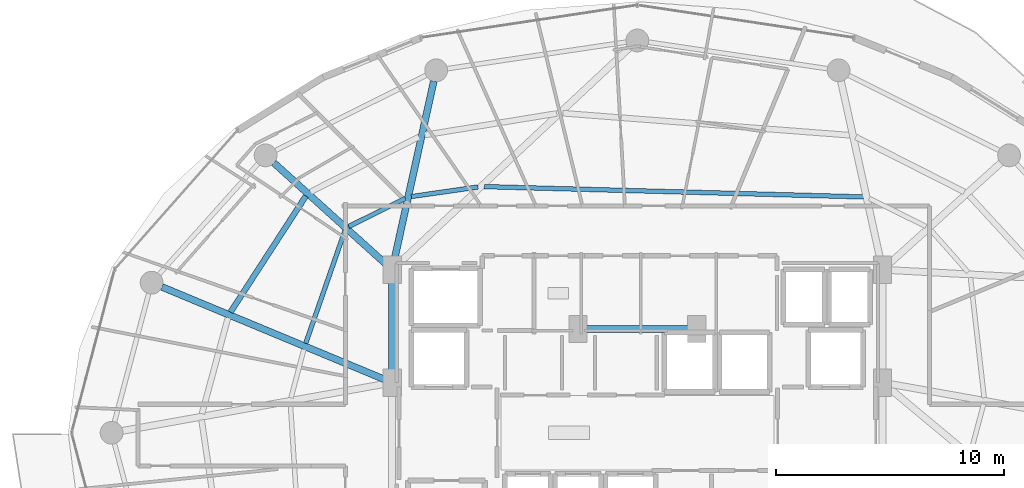
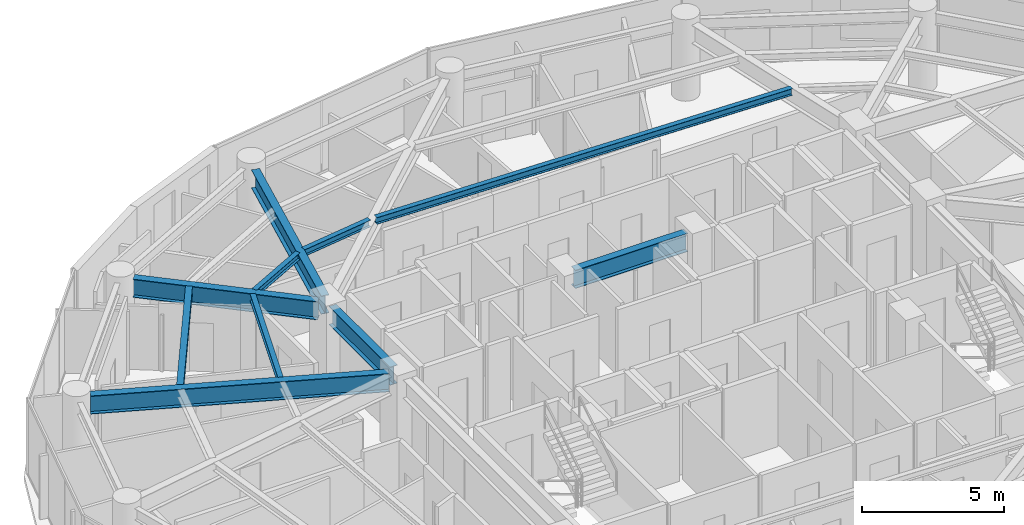
# One storey, part 9 of 28: 10 beams.
"""IFC4 building model written with IfcOpenShell, lengths in metres."""

from ifc_helpers import new_model, si_unit, direction, frame, origin, origin_2d, place, context, subcontext, project, spatial, i_section, extrude, material, material_profile, profile_set, type_object, element, save


model = new_model("IFC4")

# Units and contexts
model_context = context("Model", 3, precision=1e-05, world=origin(), true_north=direction((0.0, 1.0)))
body_context = subcontext(model_context, "Body", "Model", "MODEL_VIEW")
ifc_project = project(units=[si_unit("LENGTHUNIT", "METRE"), si_unit("AREAUNIT", "SQUARE_METRE"), si_unit("VOLUMEUNIT", "CUBIC_METRE"), si_unit("PLANEANGLEUNIT", "RADIAN"), si_unit("MASSUNIT", "GRAM", prefix="KILO")], contexts=[model_context])

# Site, building, storey
site_placement = place(None, origin())
site = spatial("IfcSite", under=ifc_project, at=site_placement, CompositionType="ELEMENT")
building_placement = place(site_placement, origin())
building = spatial("IfcBuilding", under=site, at=building_placement, Name="Vorneva Point Tower", CompositionType="ELEMENT")
storey_placement = place(building_placement, frame((0.0, 0.0, 160.60009765625)))
storey = spatial("IfcBuildingStorey", under=building, at=storey_placement, Name="L43", CompositionType="ELEMENT", Elevation=160.60009765625)

# Beams
ifc_material = material(Name="Steel S355", Category="steel")
ifc_material_profile_1 = material_profile(ifc_material, i_section(OverallWidth=0.300048828125, OverallDepth=0.7880859375, WebThickness=0.014404296875, FlangeThickness=0.02197265625, at=origin_2d()), Name="80Sh1")
ifc_profile_set_1 = profile_set([ifc_material_profile_1], Name="Steel S355")
beam_type_1 = type_object("IfcBeamType", Name="BM-GRD-80Sh1", PredefinedType="USERDEFINED", material=ifc_profile_set_1)
beam_1_placement = place(storey_placement, frame((29.073974609375, 41.414306640625, 2.845947265625), z_axis=(-0.215520500859, -0.976499315775, 0.0), x_axis=(0.976499315775, -0.215520500859, 0.0)))
element("IfcBeam", 1, at=beam_1_placement, inside=storey, type_object=beam_type_1, Name="L43 Radial Primary Girder 06", ObjectType="GIRDER", PredefinedType="USERDEFINED", context=body_context, shape_type="SweptSolid", body=[
    extrude(i_section(OverallWidth=0.300048828125, OverallDepth=0.7880859375, WebThickness=0.014404296875, FlangeThickness=0.02197265625, at=origin_2d()), origin(), (0.0, 0.0, 1.0), 8.123291015625),
])
beam_2_placement = place(storey_placement, frame((22.063232421875, 37.835205078125, 2.845947265625), z_axis=(0.742084379637, -0.670306477292, 0.0), x_axis=(0.670306477292, 0.742084379637, 0.0)))
element("IfcBeam", 2, at=beam_2_placement, inside=storey, type_object=beam_type_1, Name="L43 Radial Primary Girder 07", ObjectType="GIRDER", PredefinedType="USERDEFINED", context=body_context, shape_type="SweptSolid", body=[
    extrude(i_section(OverallWidth=0.300048828125, OverallDepth=0.7880859375, WebThickness=0.014404296875, FlangeThickness=0.02197265625, at=origin_2d()), origin(), (0.0, 0.0, 1.0), 6.649658203125),
])
beam_3_placement = place(storey_placement, frame((17.1552734375, 32.39501953125, 2.845947265625), z_axis=(0.923440676596, -0.383741210723, 0.0), x_axis=(0.383741210723, 0.923440676596, 0.0)))
element("IfcBeam", 3, at=beam_3_placement, inside=storey, type_object=beam_type_1, Name="L43 Radial Primary Girder 08", ObjectType="GIRDER", PredefinedType="USERDEFINED", context=body_context, shape_type="SweptSolid", body=[
    extrude(i_section(OverallWidth=0.300048828125, OverallDepth=0.7880859375, WebThickness=0.014404296875, FlangeThickness=0.02197265625, at=origin_2d()), origin(), (0.0, 0.0, 1.0), 10.591552734375),
])
beam_4_placement = place(storey_placement, frame((27.25, 28.52001953125, 2.845947265625), z_axis=(0.0, 1.0, 0.0), x_axis=(-1.0, 0.0, 0.0)))
element("IfcBeam", 4, at=beam_4_placement, inside=storey, type_object=beam_type_1, Name="L43 Core Tie Girder CT2", ObjectType="GIRDER", PredefinedType="USERDEFINED", context=body_context, shape_type="SweptSolid", body=[
    extrude(i_section(OverallWidth=0.300048828125, OverallDepth=0.7880859375, WebThickness=0.014404296875, FlangeThickness=0.02197265625, at=origin_2d()), origin(), (0.0, 0.0, 1.0), 4.31005859375),
])
beam_5_placement = place(storey_placement, frame((35.719970703125, 30.550048828125, 2.845947265625), z_axis=(1.0, 0.0, 0.0), x_axis=(0.0, 1.0, 0.0)))
element("IfcBeam", 5, at=beam_5_placement, inside=storey, type_object=beam_type_1, Name="L43 Core Tie Girder CT8", ObjectType="GIRDER", PredefinedType="USERDEFINED", context=body_context, shape_type="SweptSolid", body=[
    extrude(i_section(OverallWidth=0.300048828125, OverallDepth=0.7880859375, WebThickness=0.014404296875, FlangeThickness=0.02197265625, at=origin_2d()), origin(), (0.0, 0.0, 1.0), 4.56005859375),
])
ifc_material_profile_2 = material_profile(ifc_material, i_section(OverallWidth=0.199951171875, OverallDepth=0.291015625, WebThickness=0.008056640625, FlangeThickness=0.010986328125, at=origin_2d()), Name="30Sh1")
ifc_profile_set_2 = profile_set([ifc_material_profile_2], Name="Steel S355")
beam_type_2 = type_object("IfcBeamType", Name="BM-SEC-30Sh1", PredefinedType="BEAM", material=ifc_profile_set_2)
beam_6_placement = place(storey_placement, frame((47.908447265625, 36.34130859375, 3.094482421875), z_axis=(-0.999630939396, 0.027165879367, 0.0), x_axis=(-0.027165879367, -0.999630939396, 0.0)))
element("IfcBeam", 6, at=beam_6_placement, inside=storey, type_object=beam_type_2, Name="L43 Secondary Floor Beam 2.04", PredefinedType="BEAM", context=body_context, shape_type="SweptSolid", body=[
    extrude(i_section(OverallWidth=0.199951171875, OverallDepth=0.291015625, WebThickness=0.008056640625, FlangeThickness=0.010986328125, at=origin_2d()), origin(), (0.0, 0.0, 1.0), 16.6259765625),
])
beam_7_placement = place(storey_placement, frame((31.013916015625, 36.777099609375, 3.094482421875), z_axis=(-0.989843421771, -0.142161880882, 0.0), x_axis=(0.142161880882, -0.989843421771, 0.0)))
element("IfcBeam", 7, at=beam_7_placement, inside=storey, type_object=beam_type_2, Name="L43 Secondary Floor Beam 2.05", PredefinedType="BEAM", context=body_context, shape_type="SweptSolid", body=[
    extrude(i_section(OverallWidth=0.199951171875, OverallDepth=0.291015625, WebThickness=0.008056640625, FlangeThickness=0.010986328125, at=origin_2d()), origin(), (0.0, 0.0, 1.0), 2.953857421875),
])
beam_8_placement = place(storey_placement, frame((27.829833984375, 36.2763671875, 3.094482421875), z_axis=(-0.895831018968, -0.444394853092, 0.0), x_axis=(0.444394853092, -0.895831018968, 0.0)))
element("IfcBeam", 8, at=beam_8_placement, inside=storey, type_object=beam_type_2, Name="L43 Secondary Floor Beam 2.06", PredefinedType="BEAM", context=body_context, shape_type="SweptSolid", body=[
    extrude(i_section(OverallWidth=0.199951171875, OverallDepth=0.291015625, WebThickness=0.008056640625, FlangeThickness=0.010986328125, at=origin_2d()), origin(), (0.0, 0.0, 1.0), 2.77392578125),
])
beam_9_placement = place(storey_placement, frame((25.17578125, 34.852294921875, 3.094482421875), z_axis=(-0.328761958151, -0.944412820155, 0.0), x_axis=(0.944412820155, -0.328761958151, 0.0)))
element("IfcBeam", 9, at=beam_9_placement, inside=storey, type_object=beam_type_2, Name="L43 Secondary Floor Beam 2.07", PredefinedType="BEAM", context=body_context, shape_type="SweptSolid", body=[
    extrude(i_section(OverallWidth=0.199951171875, OverallDepth=0.291015625, WebThickness=0.008056640625, FlangeThickness=0.010986328125, at=origin_2d()), origin(), (0.0, 0.0, 1.0), 5.21826171875),
])
ifc_material_profile_3 = material_profile(ifc_material, i_section(OverallWidth=0.2490234375, OverallDepth=0.333984375, WebThickness=0.008056640625, FlangeThickness=0.010986328125, at=origin_2d()), Name="35Sh1")
ifc_profile_set_3 = profile_set([ifc_material_profile_3], Name="Steel S355")
beam_type_3 = type_object("IfcBeamType", Name="BM-SEC-35Sh1", PredefinedType="BEAM", material=ifc_profile_set_3)
beam_10_placement = place(storey_placement, frame((23.468505859375, 36.382080078125, 3.072998046875), z_axis=(-0.544400002832, -0.83882574884, 0.0), x_axis=(0.83882574884, -0.544400002832, 0.0)))
element("IfcBeam", 10, at=beam_10_placement, inside=storey, type_object=beam_type_3, Name="L43 Secondary Floor Beam 1.07", PredefinedType="BEAM", context=body_context, shape_type="SweptSolid", body=[
    extrude(i_section(OverallWidth=0.2490234375, OverallDepth=0.333984375, WebThickness=0.008056640625, FlangeThickness=0.010986328125, at=origin_2d()), origin(), (0.0, 0.0, 1.0), 6.069091796875),
])

save(model, "model.ifc")
